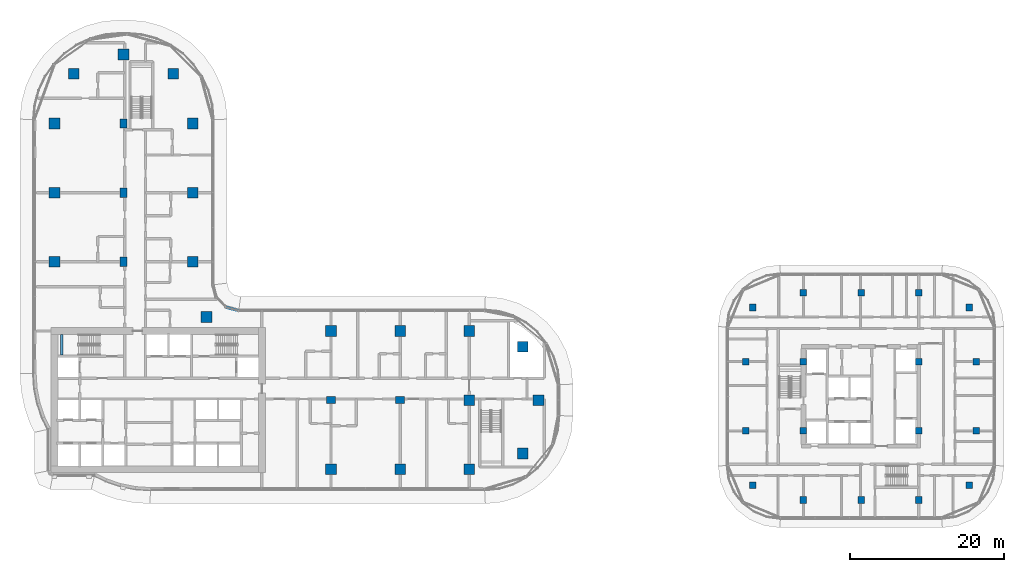
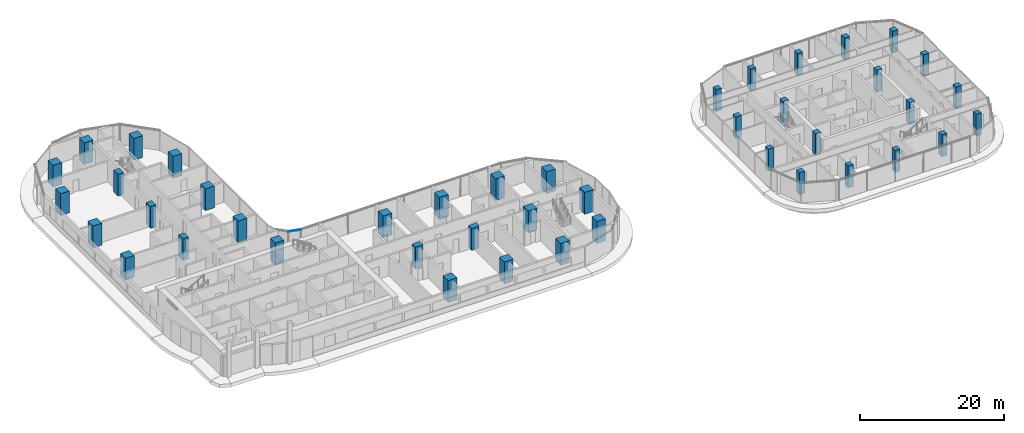
# One storey, part 1 of 36: 43 columns, 1 beam, 1 member, 1 element without a shape of its own.
"""IFC4 building model written with IfcOpenShell, lengths in metres."""

from ifc_helpers import new_model, si_unit, direction, frame, origin, origin_2d, place, context, subcontext, project, spatial, rectangle, extrude, material, material_profile, profile_set, type_object, element, aggregate, save


model = new_model("IFC4")

# Units and contexts
model_context = context("Model", 3, precision=1e-05, world=origin(), true_north=direction((0.0, 1.0)))
body_context = subcontext(model_context, "Body", "Model", "MODEL_VIEW")
ifc_project = project(units=[si_unit("LENGTHUNIT", "METRE"), si_unit("AREAUNIT", "SQUARE_METRE"), si_unit("VOLUMEUNIT", "CUBIC_METRE"), si_unit("PLANEANGLEUNIT", "RADIAN"), si_unit("MASSUNIT", "GRAM", prefix="KILO")], contexts=[model_context])

# Site, building, storey
site_placement = place(None, origin())
site = spatial("IfcSite", under=ifc_project, at=site_placement, CompositionType="ELEMENT")
building_placement = place(site_placement, origin())
building = spatial("IfcBuilding", under=site, at=building_placement, Name="Ogive Portal Towers", CompositionType="ELEMENT")
storey_placement = place(building_placement, frame((0.0, 0.0, 63.10009765625)))
storey = spatial("IfcBuildingStorey", under=building, at=storey_placement, Name="L14", CompositionType="ELEMENT", Elevation=63.10009765625)

# Columns
ifc_material_1 = material(Name="Concrete C60/75", Category="concrete")
ifc_material_profile_1 = material_profile(ifc_material_1, rectangle(XDim=1.199951171875, YDim=0.89990234375, at=origin_2d()), Name="RC 1200x900")
ifc_profile_set_1 = profile_set([ifc_material_profile_1], Name="Concrete C60/75")
column_type_1 = type_object("IfcColumnType", Name="COLUMN RC 1200x900", PredefinedType="COLUMN", material=ifc_profile_set_1)
for number, where, z_axis, x_axis, name in (
    (1, (67.5, 30.5, 0.0), (0.0, 0.0, 1.0), (1.0, 0.0, 0.0), "Column 5/B L14"),
    (2, (76.5, 30.5, 0.0), (0.0, 0.0, 1.0), (1.0, 0.0, 0.0), "Column 6/B L14"),
    (3, (40.5, 48.5, 0.0), (0.0, 0.0, 1.0), (0.0, 1.0, 0.0), "Column 2/D L14"),
    (4, (40.5, 57.5, 0.0), (0.0, 0.0, 1.0), (0.0, 1.0, 0.0), "Column 2/E L14"),
    (5, (40.5, 66.5, 0.0), (0.0, 0.0, 1.0), (0.0, 1.0, 0.0), "Column 2/F L14"),
):
    element("IfcColumn", number, at=place(storey_placement, frame(where, z_axis=z_axis, x_axis=x_axis)), inside=storey, type_object=column_type_1, Name=name, PredefinedType="COLUMN", context=body_context, shape_type="SweptSolid", body=[
        extrude(rectangle(XDim=1.199951171875, YDim=0.89990234375, at=origin_2d()), origin(), (0.0, 0.0, 1.0), 3.699951171875),
    ])
ifc_material_profile_2 = material_profile(ifc_material_1, rectangle(XDim=1.39990234375, YDim=1.39990234375, at=origin_2d()), Name="RC 1400x1400")
ifc_profile_set_2 = profile_set([ifc_material_profile_2], Name="Concrete C60/75")
column_type_2 = type_object("IfcColumnType", Name="COLUMN RC 1400x1400", PredefinedType="COLUMN", material=ifc_profile_set_2)
for number, where, z_axis, x_axis, name in (
    (6, (67.5, 21.5, 0.0), (0.0, 0.0, 1.0), (1.0, 0.0, 0.0), "Column 5/A L14"),
    (7, (76.5, 21.5, 0.0), (0.0, 0.0, 1.0), (1.0, 0.0, 0.0), "Column 6/A L14"),
    (8, (85.5, 21.5, 0.0), (0.0, 0.0, 1.0), (1.0, 0.0, 0.0), "Column 7/A L14"),
    (9, (92.449951171875, 23.550048828125, 0.0), (0.0, 0.0, 1.0), (1.0, 0.0, 0.0), "Column L14"),
    (10, (85.5, 30.5, 0.0), (0.0, 0.0, 1.0), (1.0, 0.0, 0.0), "Column 7/B L14"),
    (11, (94.5, 30.5, 0.0), (0.0, 0.0, 1.0), (1.0, 0.0, 0.0), "Column 8/B L14"),
    (12, (92.449951171875, 37.449951171875, 0.0), (0.0, 0.0, 1.0), (1.0, 0.0, 0.0), "Column L14"),
    (13, (67.5, 39.5, 0.0), (0.0, 0.0, 1.0), (1.0, 0.0, 0.0), "Column 5/C L14"),
    (14, (76.5, 39.5, 0.0), (0.0, 0.0, 1.0), (1.0, 0.0, 0.0), "Column 6/C L14"),
    (15, (85.5, 39.5, 0.0), (0.0, 0.0, 1.0), (1.0, 0.0, 0.0), "Column 7/C L14"),
    (16, (51.31005859375, 41.31005859375, 0.0), (0.0, 0.0, 1.0), (1.0, 0.0, 0.0), "Column L14"),
    (17, (31.5, 48.5, 0.0), (0.0, 0.0, 1.0), (1.0, 0.0, 0.0), "Column 1/D L14"),
    (18, (49.5, 48.5, 0.0), (0.0, 0.0, 1.0), (1.0, 0.0, 0.0), "Column 3/D L14"),
    (19, (31.5, 57.5, 0.0), (0.0, 0.0, 1.0), (1.0, 0.0, 0.0), "Column 1/E L14"),
    (20, (49.5, 57.5, 0.0), (0.0, 0.0, 1.0), (1.0, 0.0, 0.0), "Column 3/E L14"),
    (21, (31.5, 66.5, 0.0), (0.0, 0.0, 1.0), (1.0, 0.0, 0.0), "Column 1/F L14"),
    (22, (49.5, 66.5, 0.0), (0.0, 0.0, 1.0), (1.0, 0.0, 0.0), "Column 3/F L14"),
    (23, (34.027099609375, 72.972900390625, 0.0), (0.0, 0.0, 1.0), (1.0, 0.0, 0.0), "Column L14"),
    (24, (46.972900390625, 72.972900390625, 0.0), (0.0, 0.0, 1.0), (1.0, 0.0, 0.0), "Column L14"),
    (25, (40.5, 75.5, 0.0), (0.0, 0.0, 1.0), (1.0, 0.0, 0.0), "Column 2/G L14"),
):
    element("IfcColumn", number, at=place(storey_placement, frame(where, z_axis=z_axis, x_axis=x_axis)), inside=storey, type_object=column_type_2, Name=name, PredefinedType="COLUMN", context=body_context, shape_type="SweptSolid", body=[
        extrude(rectangle(XDim=1.39990234375, YDim=1.39990234375, at=origin_2d()), origin(), (0.0, 0.0, 1.0), 3.699951171875),
    ])
ifc_material_2 = material(Name="Concrete C50/60", Category="concrete")
ifc_material_profile_3 = material_profile(ifc_material_2, rectangle(XDim=0.85009765625, YDim=0.85009765625, at=origin_2d()), Name="RC 850x850")
ifc_profile_set_3 = profile_set([ifc_material_profile_3], Name="Concrete C50/60")
column_type_3 = type_object("IfcColumnType", Name="COLUMN RC 850x850", PredefinedType="COLUMN", material=ifc_profile_set_3)
for number, where, z_axis, x_axis, name in (
    (26, (129.0, 17.5, 0.0), (0.0, 0.0, 1.0), (1.0, 0.0, 0.0), "Column 12/H L14"),
    (27, (136.5, 17.5, 0.0), (0.0, 0.0, 1.0), (1.0, 0.0, 0.0), "Column 13/H L14"),
    (28, (144.0, 17.5, 0.0), (0.0, 0.0, 1.0), (1.0, 0.0, 0.0), "Column 14/H L14"),
    (29, (122.40087890625, 19.44189453125, 0.0), (0.0, 0.0, 1.0), (1.0, 0.0, 0.0), "Column L14"),
    (30, (150.59912109375, 19.44189453125, 0.0), (0.0, 0.0, 1.0), (1.0, 0.0, 0.0), "Column L14"),
    (31, (121.5, 26.5, 0.0), (0.0, 0.0, 1.0), (1.0, 0.0, 0.0), "Column 11/J L14"),
    (32, (129.0, 26.5, 0.0), (0.0, 0.0, 1.0), (1.0, 0.0, 0.0), "Column 12/J L14"),
    (33, (144.0, 26.5, 0.0), (0.0, 0.0, 1.0), (1.0, 0.0, 0.0), "Column 14/J L14"),
    (34, (151.5, 26.5, 0.0), (0.0, 0.0, 1.0), (1.0, 0.0, 0.0), "Column 15/J L14"),
    (35, (121.5, 35.5, 0.0), (0.0, 0.0, 1.0), (1.0, 0.0, 0.0), "Column 11/K L14"),
    (36, (129.0, 35.5, 0.0), (0.0, 0.0, 1.0), (1.0, 0.0, 0.0), "Column 12/K L14"),
    (37, (144.0, 35.5, 0.0), (0.0, 0.0, 1.0), (1.0, 0.0, 0.0), "Column 14/K L14"),
    (38, (151.5, 35.5, 0.0), (0.0, 0.0, 1.0), (1.0, 0.0, 0.0), "Column 15/K L14"),
    (39, (122.40087890625, 42.55810546875, 0.0), (0.0, 0.0, 1.0), (1.0, 0.0, 0.0), "Column L14"),
    (40, (150.59912109375, 42.55810546875, 0.0), (0.0, 0.0, 1.0), (1.0, 0.0, 0.0), "Column L14"),
    (41, (129.0, 44.5, 0.0), (0.0, 0.0, 1.0), (1.0, 0.0, 0.0), "Column 12/L L14"),
    (42, (136.5, 44.5, 0.0), (0.0, 0.0, 1.0), (1.0, 0.0, 0.0), "Column 13/L L14"),
    (43, (144.0, 44.5, 0.0), (0.0, 0.0, 1.0), (1.0, 0.0, 0.0), "Column 14/L L14"),
):
    element("IfcColumn", number, at=place(storey_placement, frame(where, z_axis=z_axis, x_axis=x_axis)), inside=storey, type_object=column_type_3, Name=name, PredefinedType="COLUMN", context=body_context, shape_type="SweptSolid", body=[
        extrude(rectangle(XDim=0.85009765625, YDim=0.85009765625, at=origin_2d()), origin(), (0.0, 0.0, 1.0), 3.699951171875),
    ])

# Beam
ifc_material_3 = material(Name="Concrete C40/50", Category="concrete")
ifc_material_profile_4 = material_profile(ifc_material_3, rectangle(XDim=0.300048828125, YDim=0.39990234375, at=origin_2d()), Name="RC 300x400")
ifc_profile_set_4 = profile_set([ifc_material_profile_4], Name="Concrete C40/50")
beam_type = type_object("IfcBeamType", Name="BEAM RC 300x400", PredefinedType="BEAM", material=ifc_profile_set_4)
beam_placement = place(storey_placement, frame((32.449951171875, 36.35009765625, 1.449951171875), z_axis=(0.0, 1.0, 0.0), x_axis=(-1.0, 0.0, 0.0)))
element("IfcBeam", 44, at=beam_placement, inside=storey, type_object=beam_type, Name="Landing beam L14", PredefinedType="BEAM", context=body_context, shape_type="SweptSolid", body=[
    extrude(rectangle(XDim=0.300048828125, YDim=0.39990234375, at=origin_2d()), origin(), (0.0, 0.0, 1.0), 2.699951171875),
])

# Curtain wall, member
ifc_material_4 = material(Name="Glass, clear low-iron insulated glazing", Category="glass")
curtain_wall_type = type_object("IfcCurtainWallType", Name="CW FRONT RIBBON 4500", PredefinedType="NOTDEFINED", material=ifc_material_4)
curtain_wall_placement = place(storey_placement, origin())
curtain_wall = element("IfcCurtainWall", 45, at=curtain_wall_placement, inside=storey, type_object=curtain_wall_type, Name="A:L14:f17:cwa", PredefinedType="NOTDEFINED")
ifc_material_5 = material(Name="Aluminium 6063 anodised", Category="aluminium")
ifc_material_profile_5 = material_profile(ifc_material_5, rectangle(XDim=0.1201171875, YDim=0.06005859375, at=origin_2d()), Name="AL 120x60")
ifc_profile_set_5 = profile_set([ifc_material_profile_5], Name="Aluminium 6063 anodised")
member_type = type_object("IfcMemberType", Name="CW TRANSOM 60x120", PredefinedType="USERDEFINED", material=ifc_profile_set_5)
member_placement = place(storey_placement, frame((55.489501953125, 42.10009765625, 3.369873046875), z_axis=(-0.965954275614, 0.258712847425, 0.0), x_axis=(-0.258712847425, -0.965954275614, 0.0)))
member = element("IfcMember", 46, at=member_placement, type_object=member_type, Name="transom", ObjectType="TRANSOM", PredefinedType="USERDEFINED", context=body_context, shape_type="SweptSolid", body=[
    extrude(rectangle(XDim=0.1201171875, YDim=0.06005859375, at=origin_2d()), origin(), (0.0, 0.0, 1.0), 1.75048828125),
])
aggregate(curtain_wall, [member])

save(model, "model.ifc")
